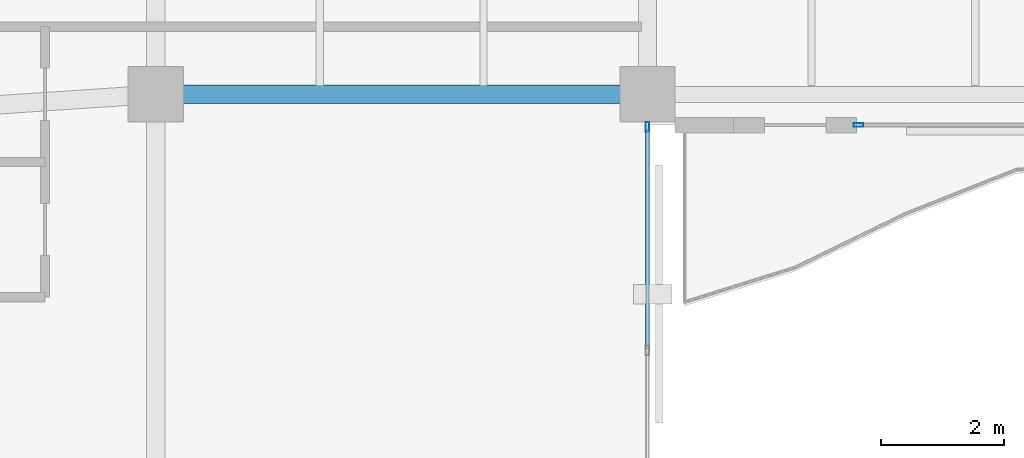
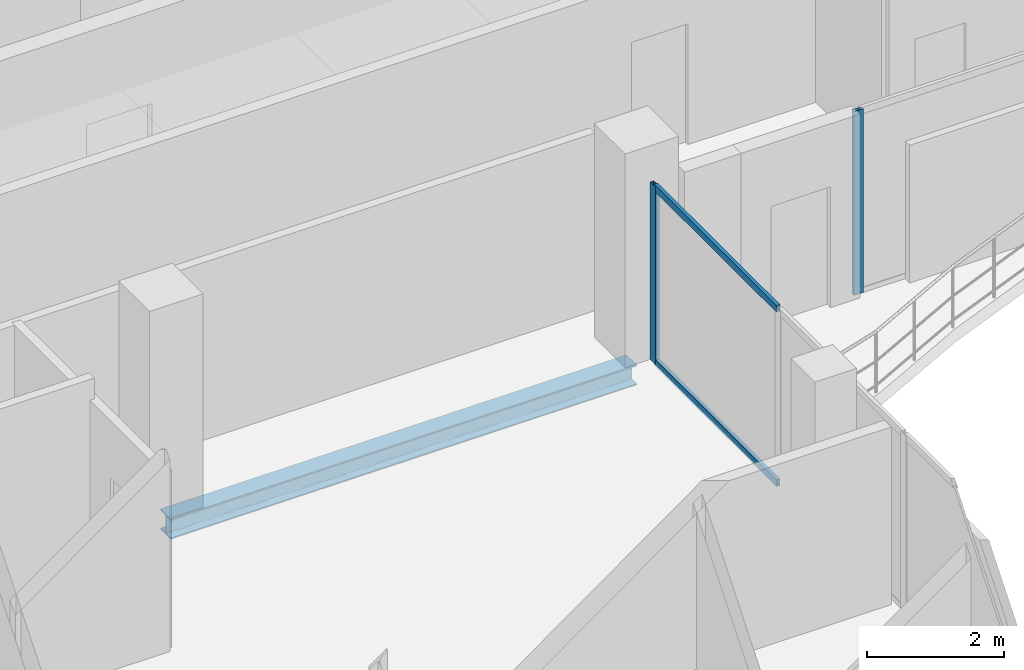
# One storey, part 8 of 23: 4 members, 1 beam, 2 elements without a shape of their own.
"""IFC4 building model written with IfcOpenShell, lengths in metres."""

from ifc_helpers import new_model, si_unit, direction, frame, origin, origin_2d, place, context, subcontext, project, spatial, hollow_rectangle, i_section, extrude, material, layer, layer_set, material_profile, profile_set, type_object, element, aggregate, save


model = new_model("IFC4")

# Units and contexts
model_context = context("Model", 3, precision=1e-05, world=origin(), true_north=direction((0.0, 1.0)))
body_context = subcontext(model_context, "Body", "Model", "MODEL_VIEW")
ifc_project = project(units=[si_unit("LENGTHUNIT", "METRE"), si_unit("AREAUNIT", "SQUARE_METRE"), si_unit("VOLUMEUNIT", "CUBIC_METRE"), si_unit("PLANEANGLEUNIT", "RADIAN"), si_unit("MASSUNIT", "GRAM", prefix="KILO")], contexts=[model_context])

# Site, building, storey
site_placement = place(None, origin())
site = spatial("IfcSite", under=ifc_project, at=site_placement, CompositionType="ELEMENT")
building_placement = place(site_placement, origin())
building = spatial("IfcBuilding", under=site, at=building_placement, Name="Catumbela Crestline Tower", CompositionType="ELEMENT")
storey_placement = place(building_placement, frame((0.0, 0.0, 248.8)))
storey = spatial("IfcBuildingStorey", under=building, at=storey_placement, Name="L64", CompositionType="ELEMENT", Elevation=248.8)

# Beam
ifc_material_1 = material(Name="Structural steel S355J2", Category="steel")
ifc_material_profile_1 = material_profile(ifc_material_1, i_section(OverallWidth=0.3, OverallDepth=0.36, WebThickness=0.0125, FlangeThickness=0.0225, FilletRadius=0.027, at=origin_2d()), Name="HEB 360")
ifc_profile_set_1 = profile_set([ifc_material_profile_1], Name="Structural steel S355J2")
beam_type = type_object("IfcBeamType", Name="BG-HEB360", PredefinedType="BEAM", material=ifc_profile_set_1)
beam_placement = place(storey_placement, frame((16.08, 24.5, -0.44), z_axis=(1.0, 0.0, 0.0), x_axis=(0.0, 1.0, 0.0)))
element("IfcBeam", 1, at=beam_placement, inside=storey, type_object=beam_type, Name="L64 Beam BM-L64-S03", PredefinedType="BEAM", context=body_context, shape_type="SweptSolid", body=[
    extrude(i_section(OverallWidth=0.3, OverallDepth=0.36, WebThickness=0.0125, FlangeThickness=0.0225, FilletRadius=0.027, at=origin_2d()), origin(), (0.0, 0.0, 1.0), 7.84),
])

# Curtain wall, member
ifc_material_2 = material(Name="Aluminium alloy AW-6060-T66", Category="aluminium")
ifc_layer = layer(ifc_material_2, 0.18, Name="Aluminium alloy AW-6060-T66")
ifc_layer_set = layer_set([ifc_layer], Name="Aluminium alloy AW-6060-T66")
curtain_wall_type = type_object("IfcCurtainWallType", Name="CWU-Z4", PredefinedType="USERDEFINED", material=ifc_layer_set)
curtain_wall_1_placement = place(storey_placement, origin())
curtain_wall_1 = element("IfcCurtainWall", 2, at=curtain_wall_1_placement, inside=storey, type_object=curtain_wall_type, Name="L64 Unitised Curtain Wall CW-L64-E2S1", ObjectType="UNITISED", PredefinedType="USERDEFINED")
ifc_material_profile_2 = material_profile(ifc_material_2, hollow_rectangle(XDim=0.06, YDim=0.16, WallThickness=0.004, at=origin_2d()), Name="ALU 160x60x4")
ifc_profile_set_2 = profile_set([ifc_material_profile_2], Name="Aluminium alloy AW-6060-T66")
member_type_1 = type_object("IfcMemberType", Name="MUL-160X60", PredefinedType="MULLION", material=ifc_profile_set_2)
member_1_placement = place(storey_placement, frame((24.0, 23.9675, 0.0), z_axis=(0.0, 0.0, 1.0), x_axis=(-1.0, 0.0, 0.0)))
member_1 = element("IfcMember", 3, at=member_1_placement, type_object=member_type_1, Name="CWU-Z4 mullion 4", PredefinedType="MULLION", context=body_context, shape_type="SweptSolid", body=[
    extrude(hollow_rectangle(XDim=0.06, YDim=0.16, WallThickness=0.004, at=origin_2d()), origin(), (0.0, 0.0, 1.0), 3.16),
])

curtain_wall_2_placement = place(storey_placement, origin())
curtain_wall_2 = element("IfcCurtainWall", 4, at=curtain_wall_2_placement, inside=storey, type_object=curtain_wall_type, Name="L64 Unitised Curtain Wall CW-L64-E3S2", ObjectType="UNITISED", PredefinedType="USERDEFINED")
member_2_placement = place(storey_placement, frame((27.4325, 24.0, 0.0), z_axis=(0.0, 0.0, 1.0), x_axis=(0.0, 1.0, 0.0)))
member_2 = element("IfcMember", 5, at=member_2_placement, type_object=member_type_1, Name="CWU-Z4 mullion 1", PredefinedType="MULLION", context=body_context, shape_type="SweptSolid", body=[
    extrude(hollow_rectangle(XDim=0.06, YDim=0.16, WallThickness=0.004, at=origin_2d()), origin(), (0.0, 0.0, 1.0), 3.27),
])
aggregate(curtain_wall_2, [member_2])

# Member
ifc_material_profile_3 = material_profile(ifc_material_2, hollow_rectangle(XDim=0.06, YDim=0.12, WallThickness=0.0035, at=origin_2d()), Name="ALU 120x60x3.5")
ifc_profile_set_3 = profile_set([ifc_material_profile_3], Name="Aluminium alloy AW-6060-T66")
member_type_2 = type_object("IfcMemberType", Name="TRN-120X60", PredefinedType="USERDEFINED", material=ifc_profile_set_3)
member_3_placement = place(storey_placement, frame((24.0, 20.3658, 0.03), z_axis=(0.0, 1.0, 0.0), x_axis=(-1.0, 0.0, 0.0)))
member_3 = element("IfcMember", 6, at=member_3_placement, type_object=member_type_2, Name="CWU-Z4 transom 3.1", ObjectType="TRANSOM", PredefinedType="USERDEFINED", context=body_context, shape_type="SweptSolid", body=[
    extrude(hollow_rectangle(XDim=0.06, YDim=0.12, WallThickness=0.0035, at=origin_2d()), origin(), (0.0, 0.0, 1.0), 3.5692),
])

member_4_placement = place(storey_placement, frame((24.0, 20.3658, 3.13), z_axis=(0.0, 1.0, 0.0), x_axis=(-1.0, 0.0, 0.0)))
member_4 = element("IfcMember", 7, at=member_4_placement, type_object=member_type_2, Name="CWU-Z4 transom 3.2", ObjectType="TRANSOM", PredefinedType="USERDEFINED", context=body_context, shape_type="SweptSolid", body=[
    extrude(hollow_rectangle(XDim=0.06, YDim=0.12, WallThickness=0.0035, at=origin_2d()), origin(), (0.0, 0.0, 1.0), 3.5692),
])

aggregate(curtain_wall_1, [member_1, member_3, member_4])

save(model, "model.ifc")
